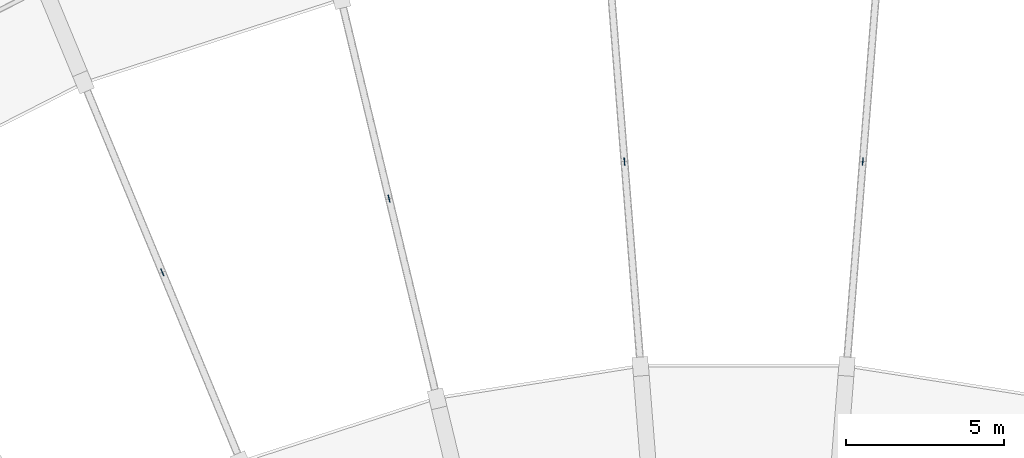
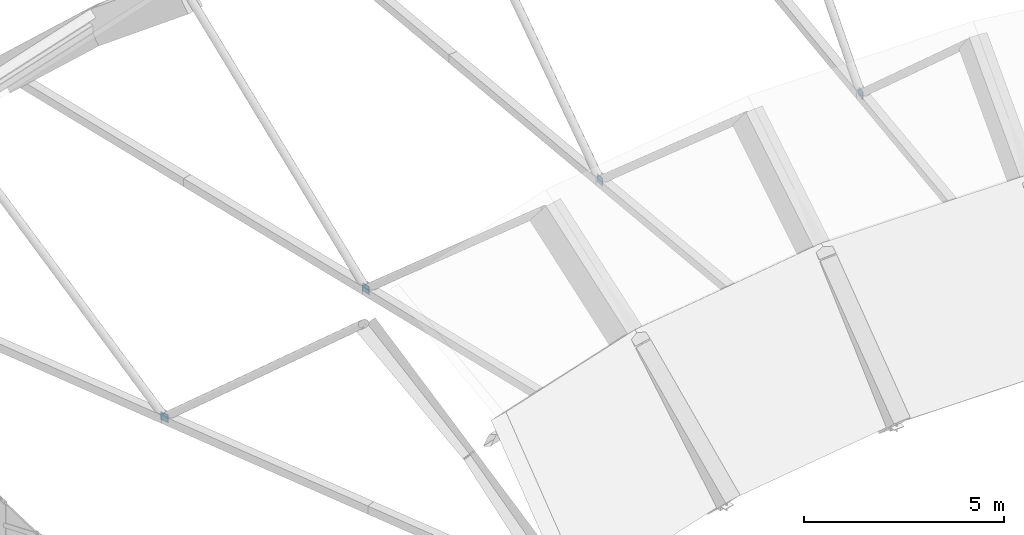
# One storey, part 24 of 34: 4 plates.
"""IFC4 building model written with IfcOpenShell, lengths in metres."""

from ifc_helpers import new_model, si_unit, direction, frame, origin, origin_2d, place, context, subcontext, project, spatial, rectangle, extrude, material, layer, layer_set, type_object, element, save


model = new_model("IFC4")

# Units and contexts
model_context = context("Model", 3, precision=1e-05, world=origin(), true_north=direction((0.0, 1.0)))
body_context = subcontext(model_context, "Body", "Model", "MODEL_VIEW")
ifc_project = project(units=[si_unit("LENGTHUNIT", "METRE"), si_unit("AREAUNIT", "SQUARE_METRE"), si_unit("VOLUMEUNIT", "CUBIC_METRE"), si_unit("PLANEANGLEUNIT", "RADIAN"), si_unit("MASSUNIT", "GRAM", prefix="KILO")], contexts=[model_context])

# Site, building, storey
site_placement = place(None, origin())
site = spatial("IfcSite", under=ifc_project, at=site_placement, CompositionType="ELEMENT")
building_placement = place(site_placement, origin())
building = spatial("IfcBuilding", under=site, at=building_placement, Name="Miralva Faculty of Natural Sciences", CompositionType="ELEMENT")
storey_placement = place(building_placement, frame((0.0, 0.0, 24.0)))
storey = spatial("IfcBuildingStorey", under=building, at=storey_placement, Name="L05", CompositionType="ELEMENT", Elevation=24.0)

# Plates
ifc_material = material(Name="Steel S355", Category="steel")
ifc_layer = layer(ifc_material, 0.02490234375, Name="PLT-BP02")
ifc_layer_set = layer_set([ifc_layer], Name="Steel S355")
plate_type = type_object("IfcPlateType", Name="PLT-BP02", PredefinedType="SHEET", material=ifc_layer_set)
for number, where, z_axis, x_axis, name in (
    (1, (71.631103515625, 23.34619140625, -0.16015625), (0.0, 0.0, 1.0), (-0.382683432365, 0.923879532511, 0.0), "Shell truss diagonal gusset plate 02-3"),
    (2, (78.794677734375, 25.673828125, -0.16015625), (0.0, 0.0, 1.0), (-0.233445363856, 0.972369920398, 0.0), "Shell truss diagonal gusset plate 03-3"),
    (3, (86.23388671875, 26.85205078125, -0.16015625), (0.0, 0.0, 1.0), (-0.078459095728, 0.996917333733, 0.0), "Shell truss diagonal gusset plate 04-3"),
    (4, (93.76611328125, 26.85205078125, -0.16015625), (0.0, 0.0, 1.0), (0.078459095728, 0.996917333733, 0.0), "Shell truss diagonal gusset plate 05-3"),
):
    element("IfcPlate", number, at=place(storey_placement, frame(where, z_axis=z_axis, x_axis=x_axis)), inside=storey, type_object=plate_type, Name=name, PredefinedType="SHEET", context=body_context, shape_type="SweptSolid", body=[
        extrude(rectangle(XDim=0.239990234375, YDim=0.02001953125, at=origin_2d()), origin(), (0.0, 0.0, 1.0), 0.239990234375),
    ])

save(model, "model.ifc")
